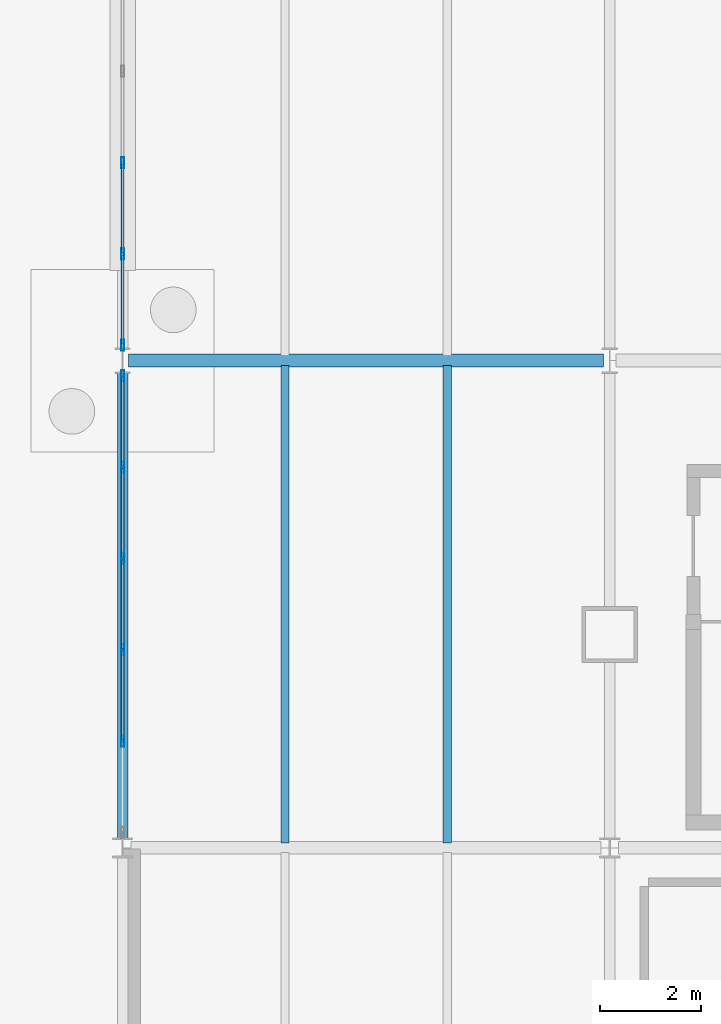
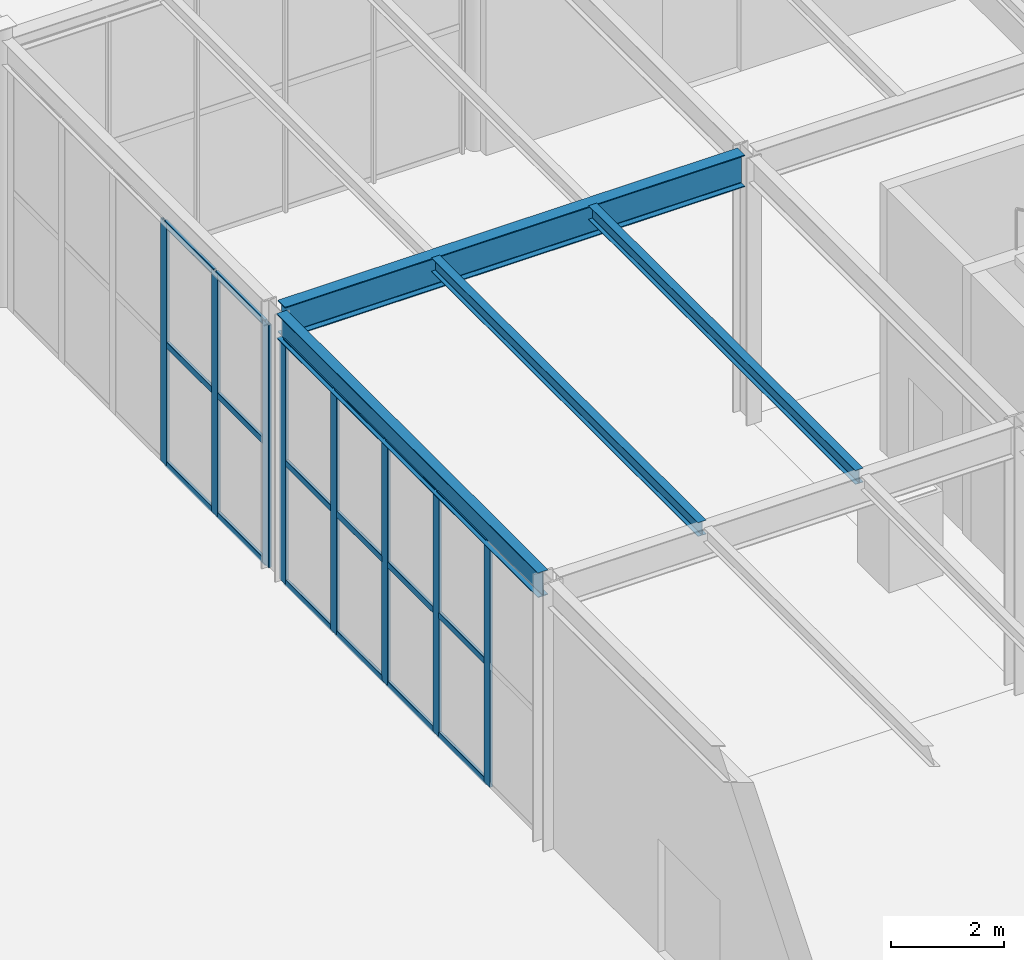
# One storey, part 72 of 142: 26 members, 4 beams, 2 elements without a shape of their own.
"""IFC4 building model written with IfcOpenShell, lengths in metres."""

from ifc_helpers import new_model, si_unit, direction, frame, origin, origin_2d, place, context, subcontext, project, spatial, hollow_rectangle, i_section, extrude, material, material_profile, profile_set, type_object, element, aggregate, save


model = new_model("IFC4")

# Units and contexts
model_context = context("Model", 3, precision=1e-05, world=origin(), true_north=direction((0.0, 1.0)))
body_context = subcontext(model_context, "Body", "Model", "MODEL_VIEW")
ifc_project = project(units=[si_unit("LENGTHUNIT", "METRE"), si_unit("AREAUNIT", "SQUARE_METRE"), si_unit("VOLUMEUNIT", "CUBIC_METRE"), si_unit("PLANEANGLEUNIT", "RADIAN"), si_unit("MASSUNIT", "GRAM", prefix="KILO")], contexts=[model_context])

# Site, building, storey
site_placement = place(None, origin())
site = spatial("IfcSite", under=ifc_project, at=site_placement, CompositionType="ELEMENT")
building_placement = place(site_placement, origin())
building = spatial("IfcBuilding", under=site, at=building_placement, Name="Coralgate Yard Interchange", CompositionType="ELEMENT")
storey_placement = place(building_placement, origin())
storey = spatial("IfcBuildingStorey", under=building, at=storey_placement, Name="L00", CompositionType="ELEMENT", Elevation=0.0)

# Beams
ifc_material_1 = material(Name="Structural steel S355J2", Category="steel")
ifc_material_profile_1 = material_profile(ifc_material_1, i_section(OverallWidth=0.209228515625, OverallDepth=0.533203125, WebThickness=0.010009765625, FlangeThickness=0.015625, FilletRadius=0.0126953125, at=origin_2d()), Name="UB 533x210x92")
ifc_profile_set_1 = profile_set([ifc_material_profile_1], Name="Structural steel S355J2")
beam_type_1 = type_object("IfcBeamType", Name="BM-SB-1", PredefinedType="BEAM", material=ifc_profile_set_1)
beam_1_placement = place(storey_placement, frame((38.39990234375, 76.966796875, 5.4833984375), z_axis=(0.0, 1.0, 0.0), x_axis=(-1.0, 0.0, 0.0)))
element("IfcBeam", 1, at=beam_1_placement, inside=storey, type_object=beam_type_1, Name="L00 primary grid girder X4 Y8-9", PredefinedType="BEAM", context=body_context, shape_type="SweptSolid", body=[
    extrude(i_section(OverallWidth=0.209228515625, OverallDepth=0.533203125, WebThickness=0.010009765625, FlangeThickness=0.015625, FilletRadius=0.0126953125, at=origin_2d()), origin(), (0.0, 0.0, 1.0), 9.213134765625),
])
ifc_material_profile_2 = material_profile(ifc_material_1, i_section(OverallWidth=0.253662109375, OverallDepth=0.68359375, WebThickness=0.012451171875, FlangeThickness=0.01904296875, FilletRadius=0.01513671875, at=origin_2d()), Name="UB 686x254x140")
ifc_profile_set_2 = profile_set([ifc_material_profile_2], Name="Structural steel S355J2")
beam_type_2 = type_object("IfcBeamType", Name="BM-SG-4", PredefinedType="BEAM", material=ifc_profile_set_2)
beam_2_placement = place(storey_placement, frame((38.52001953125, 86.39990234375, 5.408203125), z_axis=(1.0, 0.0, 0.0), x_axis=(0.0, 1.0, 0.0)))
element("IfcBeam", 2, at=beam_2_placement, inside=storey, type_object=beam_type_2, Name="L00 primary grid beam Y9 X4-5", PredefinedType="BEAM", context=body_context, shape_type="SweptSolid", body=[
    extrude(i_section(OverallWidth=0.253662109375, OverallDepth=0.68359375, WebThickness=0.012451171875, FlangeThickness=0.01904296875, FilletRadius=0.01513671875, at=origin_2d()), origin(), (0.0, 0.0, 1.0), 9.35986328125),
])
ifc_material_profile_3 = material_profile(ifc_material_1, i_section(OverallWidth=0.1650390625, OverallDepth=0.303466796875, WebThickness=0.006103515625, FlangeThickness=0.01025390625, FilletRadius=0.0087890625, at=origin_2d()), Name="UB 305x165x40")
ifc_profile_set_3 = profile_set([ifc_material_profile_3], Name="Structural steel S355J2")
beam_type_3 = type_object("IfcBeamType", Name="BM-SJ-1", PredefinedType="JOIST", material=ifc_profile_set_3)
for number, where, z_axis, x_axis, name in (
    (3, (41.60009765625, 76.89697265625, 5.598388671875), (0.0, 1.0, 0.0), (-1.0, 0.0, 0.0), "L00 composite floor joist 4-8-1"),
    (4, (44.800048828125, 76.89697265625, 5.598388671875), (0.0, 1.0, 0.0), (-1.0, 0.0, 0.0), "L00 composite floor joist 4-8-2"),
):
    element("IfcBeam", number, at=place(storey_placement, frame(where, z_axis=z_axis, x_axis=x_axis)), inside=storey, type_object=beam_type_3, Name=name, PredefinedType="JOIST", context=body_context, shape_type="SweptSolid", body=[
        extrude(i_section(OverallWidth=0.1650390625, OverallDepth=0.303466796875, WebThickness=0.006103515625, FlangeThickness=0.01025390625, FilletRadius=0.0087890625, at=origin_2d()), origin(), (0.0, 0.0, 1.0), 9.406005859375),
    ])

# Curtain wall, members
ifc_material_2 = material(Name="Anodised coastal aluminium and solar-control low-E glass", Category="aluminium")
curtain_wall_type_1 = type_object("IfcCurtainWallType", Name="CW-CW-L00-B", PredefinedType="NOTDEFINED", material=ifc_material_2)
curtain_wall_1_placement = place(storey_placement, origin())
curtain_wall_1 = element("IfcCurtainWall", 5, at=curtain_wall_1_placement, inside=storey, type_object=curtain_wall_type_1, Name="L00 unitised curtain wall CW-L00-W-04-08", PredefinedType="NOTDEFINED")
ifc_material_3 = material(Name="Anodised coastal aluminium 6063-T6", Category="aluminium")
ifc_material_profile_4 = material_profile(ifc_material_3, hollow_rectangle(XDim=0.06005859375, YDim=0.219970703125, WallThickness=0.00390625, InnerFilletRadius=0.00390625, OuterFilletRadius=0.008056640625, at=origin_2d()), Name="ALU 60x220x4")
ifc_profile_set_4 = profile_set([ifc_material_profile_4], Name="Anodised coastal aluminium 6063-T6")
member_type_1 = type_object("IfcMemberType", Name="MB-MUL-220", PredefinedType="MULLION", material=ifc_profile_set_4)
member_1_placement = place(storey_placement, frame((38.39990234375, 78.89990234375, 0.0), z_axis=(0.0, 0.0, 1.0), x_axis=(1.0, 0.0, 0.0)))
member_1 = element("IfcMember", 6, at=member_1_placement, type_object=member_type_1, Name="CW-L00-W-04-08 vertical mullion 2", PredefinedType="MULLION", context=body_context, shape_type="SweptSolid", body=[
    extrude(hollow_rectangle(XDim=0.06005859375, YDim=0.219970703125, WallThickness=0.00390625, InnerFilletRadius=0.00390625, OuterFilletRadius=0.008056640625, at=origin_2d()), origin(), (0.0, 0.0, 1.0), 5.216796875),
])
member_2_placement = place(storey_placement, frame((38.39990234375, 80.699951171875, 0.0), z_axis=(0.0, 0.0, 1.0), x_axis=(1.0, 0.0, 0.0)))
member_2 = element("IfcMember", 7, at=member_2_placement, type_object=member_type_1, Name="CW-L00-W-04-08 vertical mullion 3", PredefinedType="MULLION", context=body_context, shape_type="SweptSolid", body=[
    extrude(hollow_rectangle(XDim=0.06005859375, YDim=0.219970703125, WallThickness=0.00390625, InnerFilletRadius=0.00390625, OuterFilletRadius=0.008056640625, at=origin_2d()), origin(), (0.0, 0.0, 1.0), 5.216796875),
])
member_3_placement = place(storey_placement, frame((38.39990234375, 82.5, 0.0), z_axis=(0.0, 0.0, 1.0), x_axis=(1.0, 0.0, 0.0)))
member_3 = element("IfcMember", 8, at=member_3_placement, type_object=member_type_1, Name="CW-L00-W-04-08 vertical mullion 4", PredefinedType="MULLION", context=body_context, shape_type="SweptSolid", body=[
    extrude(hollow_rectangle(XDim=0.06005859375, YDim=0.219970703125, WallThickness=0.00390625, InnerFilletRadius=0.00390625, OuterFilletRadius=0.008056640625, at=origin_2d()), origin(), (0.0, 0.0, 1.0), 5.216796875),
])
member_4_placement = place(storey_placement, frame((38.39990234375, 84.300048828125, 0.0), z_axis=(0.0, 0.0, 1.0), x_axis=(1.0, 0.0, 0.0)))
member_4 = element("IfcMember", 9, at=member_4_placement, type_object=member_type_1, Name="CW-L00-W-04-08 vertical mullion 5", PredefinedType="MULLION", context=body_context, shape_type="SweptSolid", body=[
    extrude(hollow_rectangle(XDim=0.06005859375, YDim=0.219970703125, WallThickness=0.00390625, InnerFilletRadius=0.00390625, OuterFilletRadius=0.008056640625, at=origin_2d()), origin(), (0.0, 0.0, 1.0), 5.216796875),
])
member_5_placement = place(storey_placement, frame((38.39990234375, 86.10009765625, 0.0), z_axis=(0.0, 0.0, 1.0), x_axis=(1.0, 0.0, 0.0)))
member_5 = element("IfcMember", 10, at=member_5_placement, type_object=member_type_1, Name="CW-L00-W-04-08 vertical mullion 6", PredefinedType="MULLION", context=body_context, shape_type="SweptSolid", body=[
    extrude(hollow_rectangle(XDim=0.06005859375, YDim=0.219970703125, WallThickness=0.00390625, InnerFilletRadius=0.00390625, OuterFilletRadius=0.008056640625, at=origin_2d()), origin(), (0.0, 0.0, 1.0), 5.216796875),
])

curtain_wall_type_2 = type_object("IfcCurtainWallType", Name="CW-CW-L00-A", PredefinedType="NOTDEFINED", material=ifc_material_2)
curtain_wall_2_placement = place(storey_placement, origin())
curtain_wall_2 = element("IfcCurtainWall", 11, at=curtain_wall_2_placement, inside=storey, type_object=curtain_wall_type_2, Name="L00 unitised curtain wall CW-L00-W-04-09", PredefinedType="NOTDEFINED")
member_6_placement = place(storey_placement, frame((38.39990234375, 86.699951171875, 0.0), z_axis=(0.0, 0.0, 1.0), x_axis=(1.0, 0.0, 0.0)))
member_6 = element("IfcMember", 12, at=member_6_placement, type_object=member_type_1, Name="CW-L00-W-04-09 vertical mullion 1", PredefinedType="MULLION", context=body_context, shape_type="SweptSolid", body=[
    extrude(hollow_rectangle(XDim=0.06005859375, YDim=0.219970703125, WallThickness=0.00390625, InnerFilletRadius=0.00390625, OuterFilletRadius=0.008056640625, at=origin_2d()), origin(), (0.0, 0.0, 1.0), 5.216796875),
])
member_7_placement = place(storey_placement, frame((38.39990234375, 88.5, 0.0), z_axis=(0.0, 0.0, 1.0), x_axis=(1.0, 0.0, 0.0)))
member_7 = element("IfcMember", 13, at=member_7_placement, type_object=member_type_1, Name="CW-L00-W-04-09 vertical mullion 2", PredefinedType="MULLION", context=body_context, shape_type="SweptSolid", body=[
    extrude(hollow_rectangle(XDim=0.06005859375, YDim=0.219970703125, WallThickness=0.00390625, InnerFilletRadius=0.00390625, OuterFilletRadius=0.008056640625, at=origin_2d()), origin(), (0.0, 0.0, 1.0), 5.216796875),
])
member_8_placement = place(storey_placement, frame((38.39990234375, 90.300048828125, 0.0), z_axis=(0.0, 0.0, 1.0), x_axis=(1.0, 0.0, 0.0)))
member_8 = element("IfcMember", 14, at=member_8_placement, type_object=member_type_1, Name="CW-L00-W-04-09 vertical mullion 3", PredefinedType="MULLION", context=body_context, shape_type="SweptSolid", body=[
    extrude(hollow_rectangle(XDim=0.06005859375, YDim=0.219970703125, WallThickness=0.00390625, InnerFilletRadius=0.00390625, OuterFilletRadius=0.008056640625, at=origin_2d()), origin(), (0.0, 0.0, 1.0), 5.216796875),
])

# Member
ifc_material_profile_5 = material_profile(ifc_material_3, hollow_rectangle(XDim=0.06005859375, YDim=0.139892578125, WallThickness=0.00341796875, InnerFilletRadius=0.00341796875, OuterFilletRadius=0.007080078125, at=origin_2d()), Name="ALU 60x140x3.5")
ifc_profile_set_5 = profile_set([ifc_material_profile_5], Name="Anodised coastal aluminium 6063-T6")
member_type_2 = type_object("IfcMemberType", Name="MB-TRN-140", PredefinedType="USERDEFINED", material=ifc_profile_set_5)
member_9_placement = place(storey_placement, frame((38.39990234375, 78.929931640625, 0.034912109375), z_axis=(0.0, 1.0, 0.0), x_axis=(-1.0, 0.0, 0.0)))
member_9 = element("IfcMember", 15, at=member_9_placement, type_object=member_type_2, Name="CW-L00-W-04-08 horizontal transom 2-1", ObjectType="TRANSOM", PredefinedType="USERDEFINED", context=body_context, shape_type="SweptSolid", body=[
    extrude(hollow_rectangle(XDim=0.06005859375, YDim=0.139892578125, WallThickness=0.00341796875, InnerFilletRadius=0.00341796875, OuterFilletRadius=0.007080078125, at=origin_2d()), origin(), (0.0, 0.0, 1.0), 1.739990234375),
])

member_10_placement = place(storey_placement, frame((38.39990234375, 78.929931640625, 2.6083984375), z_axis=(0.0, 1.0, 0.0), x_axis=(-1.0, 0.0, 0.0)))
member_10 = element("IfcMember", 16, at=member_10_placement, type_object=member_type_2, Name="CW-L00-W-04-08 horizontal transom 2-2", ObjectType="TRANSOM", PredefinedType="USERDEFINED", context=body_context, shape_type="SweptSolid", body=[
    extrude(hollow_rectangle(XDim=0.06005859375, YDim=0.139892578125, WallThickness=0.00341796875, InnerFilletRadius=0.00341796875, OuterFilletRadius=0.007080078125, at=origin_2d()), origin(), (0.0, 0.0, 1.0), 1.739990234375),
])

member_11_placement = place(storey_placement, frame((38.39990234375, 78.929931640625, 5.181884765625), z_axis=(0.0, 1.0, 0.0), x_axis=(-1.0, 0.0, 0.0)))
member_11 = element("IfcMember", 17, at=member_11_placement, type_object=member_type_2, Name="CW-L00-W-04-08 horizontal transom 2-3", ObjectType="TRANSOM", PredefinedType="USERDEFINED", context=body_context, shape_type="SweptSolid", body=[
    extrude(hollow_rectangle(XDim=0.06005859375, YDim=0.139892578125, WallThickness=0.00341796875, InnerFilletRadius=0.00341796875, OuterFilletRadius=0.007080078125, at=origin_2d()), origin(), (0.0, 0.0, 1.0), 1.739990234375),
])

member_12_placement = place(storey_placement, frame((38.39990234375, 80.72998046875, 0.034912109375), z_axis=(0.0, 1.0, 0.0), x_axis=(-1.0, 0.0, 0.0)))
member_12 = element("IfcMember", 18, at=member_12_placement, type_object=member_type_2, Name="CW-L00-W-04-08 horizontal transom 3-1", ObjectType="TRANSOM", PredefinedType="USERDEFINED", context=body_context, shape_type="SweptSolid", body=[
    extrude(hollow_rectangle(XDim=0.06005859375, YDim=0.139892578125, WallThickness=0.00341796875, InnerFilletRadius=0.00341796875, OuterFilletRadius=0.007080078125, at=origin_2d()), origin(), (0.0, 0.0, 1.0), 1.739990234375),
])

member_13_placement = place(storey_placement, frame((38.39990234375, 80.72998046875, 2.6083984375), z_axis=(0.0, 1.0, 0.0), x_axis=(-1.0, 0.0, 0.0)))
member_13 = element("IfcMember", 19, at=member_13_placement, type_object=member_type_2, Name="CW-L00-W-04-08 horizontal transom 3-2", ObjectType="TRANSOM", PredefinedType="USERDEFINED", context=body_context, shape_type="SweptSolid", body=[
    extrude(hollow_rectangle(XDim=0.06005859375, YDim=0.139892578125, WallThickness=0.00341796875, InnerFilletRadius=0.00341796875, OuterFilletRadius=0.007080078125, at=origin_2d()), origin(), (0.0, 0.0, 1.0), 1.739990234375),
])

member_14_placement = place(storey_placement, frame((38.39990234375, 80.72998046875, 5.181884765625), z_axis=(0.0, 1.0, 0.0), x_axis=(-1.0, 0.0, 0.0)))
member_14 = element("IfcMember", 20, at=member_14_placement, type_object=member_type_2, Name="CW-L00-W-04-08 horizontal transom 3-3", ObjectType="TRANSOM", PredefinedType="USERDEFINED", context=body_context, shape_type="SweptSolid", body=[
    extrude(hollow_rectangle(XDim=0.06005859375, YDim=0.139892578125, WallThickness=0.00341796875, InnerFilletRadius=0.00341796875, OuterFilletRadius=0.007080078125, at=origin_2d()), origin(), (0.0, 0.0, 1.0), 1.739990234375),
])

member_15_placement = place(storey_placement, frame((38.39990234375, 82.530029296875, 0.034912109375), z_axis=(0.0, 1.0, 0.0), x_axis=(-1.0, 0.0, 0.0)))
member_15 = element("IfcMember", 21, at=member_15_placement, type_object=member_type_2, Name="CW-L00-W-04-08 horizontal transom 4-1", ObjectType="TRANSOM", PredefinedType="USERDEFINED", context=body_context, shape_type="SweptSolid", body=[
    extrude(hollow_rectangle(XDim=0.06005859375, YDim=0.139892578125, WallThickness=0.00341796875, InnerFilletRadius=0.00341796875, OuterFilletRadius=0.007080078125, at=origin_2d()), origin(), (0.0, 0.0, 1.0), 1.739990234375),
])

member_16_placement = place(storey_placement, frame((38.39990234375, 82.530029296875, 2.6083984375), z_axis=(0.0, 1.0, 0.0), x_axis=(-1.0, 0.0, 0.0)))
member_16 = element("IfcMember", 22, at=member_16_placement, type_object=member_type_2, Name="CW-L00-W-04-08 horizontal transom 4-2", ObjectType="TRANSOM", PredefinedType="USERDEFINED", context=body_context, shape_type="SweptSolid", body=[
    extrude(hollow_rectangle(XDim=0.06005859375, YDim=0.139892578125, WallThickness=0.00341796875, InnerFilletRadius=0.00341796875, OuterFilletRadius=0.007080078125, at=origin_2d()), origin(), (0.0, 0.0, 1.0), 1.739990234375),
])

member_17_placement = place(storey_placement, frame((38.39990234375, 82.530029296875, 5.181884765625), z_axis=(0.0, 1.0, 0.0), x_axis=(-1.0, 0.0, 0.0)))
member_17 = element("IfcMember", 23, at=member_17_placement, type_object=member_type_2, Name="CW-L00-W-04-08 horizontal transom 4-3", ObjectType="TRANSOM", PredefinedType="USERDEFINED", context=body_context, shape_type="SweptSolid", body=[
    extrude(hollow_rectangle(XDim=0.06005859375, YDim=0.139892578125, WallThickness=0.00341796875, InnerFilletRadius=0.00341796875, OuterFilletRadius=0.007080078125, at=origin_2d()), origin(), (0.0, 0.0, 1.0), 1.739990234375),
])

member_18_placement = place(storey_placement, frame((38.39990234375, 84.330078125, 0.034912109375), z_axis=(0.0, 1.0, 0.0), x_axis=(-1.0, 0.0, 0.0)))
member_18 = element("IfcMember", 24, at=member_18_placement, type_object=member_type_2, Name="CW-L00-W-04-08 horizontal transom 5-1", ObjectType="TRANSOM", PredefinedType="USERDEFINED", context=body_context, shape_type="SweptSolid", body=[
    extrude(hollow_rectangle(XDim=0.06005859375, YDim=0.139892578125, WallThickness=0.00341796875, InnerFilletRadius=0.00341796875, OuterFilletRadius=0.007080078125, at=origin_2d()), origin(), (0.0, 0.0, 1.0), 1.739990234375),
])

member_19_placement = place(storey_placement, frame((38.39990234375, 84.330078125, 2.6083984375), z_axis=(0.0, 1.0, 0.0), x_axis=(-1.0, 0.0, 0.0)))
member_19 = element("IfcMember", 25, at=member_19_placement, type_object=member_type_2, Name="CW-L00-W-04-08 horizontal transom 5-2", ObjectType="TRANSOM", PredefinedType="USERDEFINED", context=body_context, shape_type="SweptSolid", body=[
    extrude(hollow_rectangle(XDim=0.06005859375, YDim=0.139892578125, WallThickness=0.00341796875, InnerFilletRadius=0.00341796875, OuterFilletRadius=0.007080078125, at=origin_2d()), origin(), (0.0, 0.0, 1.0), 1.739990234375),
])

member_20_placement = place(storey_placement, frame((38.39990234375, 84.330078125, 5.181884765625), z_axis=(0.0, 1.0, 0.0), x_axis=(-1.0, 0.0, 0.0)))
member_20 = element("IfcMember", 26, at=member_20_placement, type_object=member_type_2, Name="CW-L00-W-04-08 horizontal transom 5-3", ObjectType="TRANSOM", PredefinedType="USERDEFINED", context=body_context, shape_type="SweptSolid", body=[
    extrude(hollow_rectangle(XDim=0.06005859375, YDim=0.139892578125, WallThickness=0.00341796875, InnerFilletRadius=0.00341796875, OuterFilletRadius=0.007080078125, at=origin_2d()), origin(), (0.0, 0.0, 1.0), 1.739990234375),
])

aggregate(curtain_wall_1, [member_1, member_2, member_3, member_4, member_5, member_9, member_10, member_11, member_12, member_13, member_14, member_15, member_16, member_17, member_18, member_19, member_20])

member_21_placement = place(storey_placement, frame((38.39990234375, 86.72998046875, 0.034912109375), z_axis=(0.0, 1.0, 0.0), x_axis=(-1.0, 0.0, 0.0)))
member_21 = element("IfcMember", 27, at=member_21_placement, type_object=member_type_2, Name="CW-L00-W-04-09 horizontal transom 1-1", ObjectType="TRANSOM", PredefinedType="USERDEFINED", context=body_context, shape_type="SweptSolid", body=[
    extrude(hollow_rectangle(XDim=0.06005859375, YDim=0.139892578125, WallThickness=0.00341796875, InnerFilletRadius=0.00341796875, OuterFilletRadius=0.007080078125, at=origin_2d()), origin(), (0.0, 0.0, 1.0), 1.739990234375),
])

member_22_placement = place(storey_placement, frame((38.39990234375, 86.72998046875, 2.6083984375), z_axis=(0.0, 1.0, 0.0), x_axis=(-1.0, 0.0, 0.0)))
member_22 = element("IfcMember", 28, at=member_22_placement, type_object=member_type_2, Name="CW-L00-W-04-09 horizontal transom 1-2", ObjectType="TRANSOM", PredefinedType="USERDEFINED", context=body_context, shape_type="SweptSolid", body=[
    extrude(hollow_rectangle(XDim=0.06005859375, YDim=0.139892578125, WallThickness=0.00341796875, InnerFilletRadius=0.00341796875, OuterFilletRadius=0.007080078125, at=origin_2d()), origin(), (0.0, 0.0, 1.0), 1.739990234375),
])

member_23_placement = place(storey_placement, frame((38.39990234375, 86.72998046875, 5.181884765625), z_axis=(0.0, 1.0, 0.0), x_axis=(-1.0, 0.0, 0.0)))
member_23 = element("IfcMember", 29, at=member_23_placement, type_object=member_type_2, Name="CW-L00-W-04-09 horizontal transom 1-3", ObjectType="TRANSOM", PredefinedType="USERDEFINED", context=body_context, shape_type="SweptSolid", body=[
    extrude(hollow_rectangle(XDim=0.06005859375, YDim=0.139892578125, WallThickness=0.00341796875, InnerFilletRadius=0.00341796875, OuterFilletRadius=0.007080078125, at=origin_2d()), origin(), (0.0, 0.0, 1.0), 1.739990234375),
])

member_24_placement = place(storey_placement, frame((38.39990234375, 88.530029296875, 0.034912109375), z_axis=(0.0, 1.0, 0.0), x_axis=(-1.0, 0.0, 0.0)))
member_24 = element("IfcMember", 30, at=member_24_placement, type_object=member_type_2, Name="CW-L00-W-04-09 horizontal transom 2-1", ObjectType="TRANSOM", PredefinedType="USERDEFINED", context=body_context, shape_type="SweptSolid", body=[
    extrude(hollow_rectangle(XDim=0.06005859375, YDim=0.139892578125, WallThickness=0.00341796875, InnerFilletRadius=0.00341796875, OuterFilletRadius=0.007080078125, at=origin_2d()), origin(), (0.0, 0.0, 1.0), 1.739990234375),
])

member_25_placement = place(storey_placement, frame((38.39990234375, 88.530029296875, 2.6083984375), z_axis=(0.0, 1.0, 0.0), x_axis=(-1.0, 0.0, 0.0)))
member_25 = element("IfcMember", 31, at=member_25_placement, type_object=member_type_2, Name="CW-L00-W-04-09 horizontal transom 2-2", ObjectType="TRANSOM", PredefinedType="USERDEFINED", context=body_context, shape_type="SweptSolid", body=[
    extrude(hollow_rectangle(XDim=0.06005859375, YDim=0.139892578125, WallThickness=0.00341796875, InnerFilletRadius=0.00341796875, OuterFilletRadius=0.007080078125, at=origin_2d()), origin(), (0.0, 0.0, 1.0), 1.739990234375),
])

member_26_placement = place(storey_placement, frame((38.39990234375, 88.530029296875, 5.181884765625), z_axis=(0.0, 1.0, 0.0), x_axis=(-1.0, 0.0, 0.0)))
member_26 = element("IfcMember", 32, at=member_26_placement, type_object=member_type_2, Name="CW-L00-W-04-09 horizontal transom 2-3", ObjectType="TRANSOM", PredefinedType="USERDEFINED", context=body_context, shape_type="SweptSolid", body=[
    extrude(hollow_rectangle(XDim=0.06005859375, YDim=0.139892578125, WallThickness=0.00341796875, InnerFilletRadius=0.00341796875, OuterFilletRadius=0.007080078125, at=origin_2d()), origin(), (0.0, 0.0, 1.0), 1.739990234375),
])

aggregate(curtain_wall_2, [member_6, member_7, member_8, member_21, member_22, member_23, member_24, member_25, member_26])

save(model, "model.ifc")
